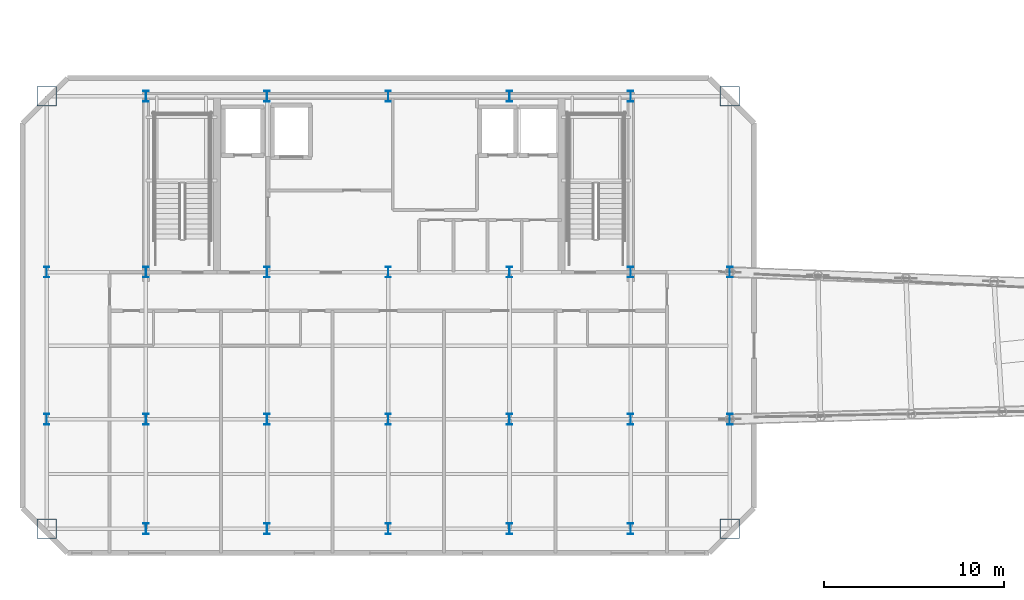
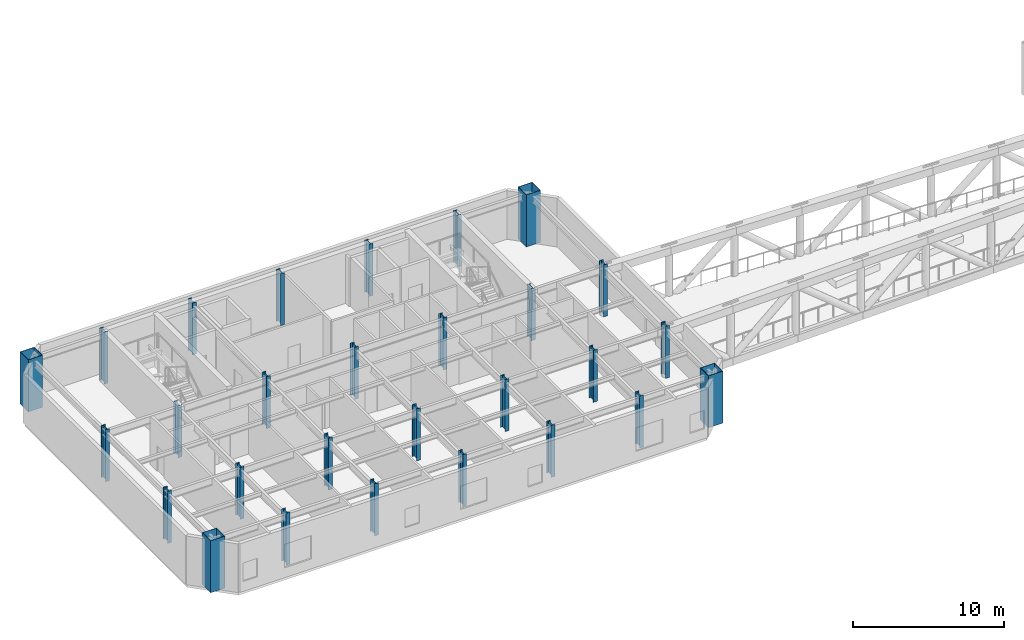
# One storey, part 1 of 14: 28 columns.
"""IFC4 building model written with IfcOpenShell, lengths in metres."""

from ifc_helpers import new_model, si_unit, direction, frame, origin, origin_2d, place, context, subcontext, project, spatial, hollow_rectangle, i_section, extrude, material, material_profile, profile_set, type_object, element, save


model = new_model("IFC4")

# Units and contexts
model_context = context("Model", 3, precision=1e-05, world=origin(), true_north=direction((0.0, 1.0)))
body_context = subcontext(model_context, "Body", "Model", "MODEL_VIEW")
ifc_project = project(units=[si_unit("LENGTHUNIT", "METRE"), si_unit("AREAUNIT", "SQUARE_METRE"), si_unit("VOLUMEUNIT", "CUBIC_METRE"), si_unit("PLANEANGLEUNIT", "RADIAN"), si_unit("MASSUNIT", "GRAM", prefix="KILO")], contexts=[model_context])

# Site, building, storey
site_placement = place(None, origin())
site = spatial("IfcSite", under=ifc_project, at=site_placement, CompositionType="ELEMENT")
building_placement = place(site_placement, origin())
building = spatial("IfcBuilding", under=site, at=building_placement, Name="Haevon Station Towers", CompositionType="ELEMENT")
storey_placement = place(building_placement, frame((0.0, 0.0, 201.300048828125)))
storey = spatial("IfcBuildingStorey", under=building, at=storey_placement, Name="L55", CompositionType="ELEMENT", Elevation=201.300048828125)

# Columns
ifc_material_1 = material(Name="Steel S460", Category="steel")
ifc_material_profile_1 = material_profile(ifc_material_1, hollow_rectangle(XDim=1.10009765625, YDim=1.10009765625, WallThickness=0.031982421875, at=origin_2d()), Name="BOX-1100x1100x32")
ifc_profile_set_1 = profile_set([ifc_material_profile_1], Name="Steel S460")
column_type_1 = type_object("IfcColumnType", Name="COL-MC5", PredefinedType="COLUMN", material=ifc_profile_set_1)
for number, where, z_axis, x_axis, name in (
    (1, (18.47509765625, 23.89990234375, 0.0), (0.0, 0.0, 1.0), (1.0, 0.0, 0.0), "COL-T1-L55-01-01"),
    (2, (18.47509765625, 48.0, 0.0), (0.0, 0.0, 1.0), (1.0, 0.0, 0.0), "COL-T1-L55-01-04"),
    (3, (56.52490234375, 23.89990234375, 0.0), (0.0, 0.0, 1.0), (1.0, 0.0, 0.0), "COL-T1-L55-07-01"),
    (4, (56.52490234375, 48.0, 0.0), (0.0, 0.0, 1.0), (1.0, 0.0, 0.0), "COL-T1-L55-07-04"),
):
    element("IfcColumn", number, at=place(storey_placement, frame(where, z_axis=z_axis, x_axis=x_axis)), inside=storey, type_object=column_type_1, Name=name, PredefinedType="COLUMN", context=body_context, shape_type="SweptSolid", body=[
        extrude(hollow_rectangle(XDim=1.10009765625, YDim=1.10009765625, WallThickness=0.031982421875, at=origin_2d()), origin(), (0.0, 0.0, 1.0), 4.199951171875),
    ])
ifc_material_2 = material(Name="Steel S355", Category="steel")
ifc_material_profile_2 = material_profile(ifc_material_2, i_section(OverallWidth=0.300048828125, OverallDepth=0.60009765625, WebThickness=0.013916015625, FlangeThickness=0.02490234375, at=origin_2d()), Name="H-600x300x14x25")
ifc_profile_set_2 = profile_set([ifc_material_profile_2], Name="Steel S355")
column_type_2 = type_object("IfcColumnType", Name="COL-TW4", PredefinedType="COLUMN", material=ifc_profile_set_2)
for number, where, z_axis, x_axis, name in (
    (5, (18.47509765625, 30.0, 0.0), (0.0, 0.0, 1.0), (1.0, 0.0, 0.0), "COL-T1-L55-01-02"),
    (6, (18.47509765625, 38.199951171875, 0.0), (0.0, 0.0, 1.0), (1.0, 0.0, 0.0), "COL-T1-L55-01-03"),
    (7, (24.0, 23.89990234375, 0.0), (0.0, 0.0, 1.0), (1.0, 0.0, 0.0), "COL-T1-L55-02-01"),
    (8, (24.0, 30.0, 0.0), (0.0, 0.0, 1.0), (1.0, 0.0, 0.0), "COL-T1-L55-02-02"),
    (9, (24.0, 38.199951171875, 0.0), (0.0, 0.0, 1.0), (1.0, 0.0, 0.0), "COL-T1-L55-02-03"),
    (10, (24.0, 48.0, 0.0), (0.0, 0.0, 1.0), (1.0, 0.0, 0.0), "COL-T1-L55-02-04"),
    (11, (30.75, 23.89990234375, 0.0), (0.0, 0.0, 1.0), (1.0, 0.0, 0.0), "COL-T1-L55-03-01"),
    (12, (30.75, 30.0, 0.0), (0.0, 0.0, 1.0), (1.0, 0.0, 0.0), "COL-T1-L55-03-02"),
    (13, (30.75, 38.199951171875, 0.0), (0.0, 0.0, 1.0), (1.0, 0.0, 0.0), "COL-T1-L55-03-03"),
    (14, (30.75, 48.0, 0.0), (0.0, 0.0, 1.0), (1.0, 0.0, 0.0), "COL-T1-L55-03-04"),
    (15, (37.5, 23.89990234375, 0.0), (0.0, 0.0, 1.0), (1.0, 0.0, 0.0), "COL-T1-L55-04-01"),
    (16, (37.5, 30.0, 0.0), (0.0, 0.0, 1.0), (1.0, 0.0, 0.0), "COL-T1-L55-04-02"),
    (17, (37.5, 38.199951171875, 0.0), (0.0, 0.0, 1.0), (1.0, 0.0, 0.0), "COL-T1-L55-04-03"),
    (18, (37.5, 48.0, 0.0), (0.0, 0.0, 1.0), (1.0, 0.0, 0.0), "COL-T1-L55-04-04"),
    (19, (44.25, 23.89990234375, 0.0), (0.0, 0.0, 1.0), (1.0, 0.0, 0.0), "COL-T1-L55-05-01"),
    (20, (44.25, 30.0, 0.0), (0.0, 0.0, 1.0), (1.0, 0.0, 0.0), "COL-T1-L55-05-02"),
    (21, (44.25, 38.199951171875, 0.0), (0.0, 0.0, 1.0), (1.0, 0.0, 0.0), "COL-T1-L55-05-03"),
    (22, (44.25, 48.0, 0.0), (0.0, 0.0, 1.0), (1.0, 0.0, 0.0), "COL-T1-L55-05-04"),
    (23, (51.0, 23.89990234375, 0.0), (0.0, 0.0, 1.0), (1.0, 0.0, 0.0), "COL-T1-L55-06-01"),
    (24, (51.0, 30.0, 0.0), (0.0, 0.0, 1.0), (1.0, 0.0, 0.0), "COL-T1-L55-06-02"),
    (25, (51.0, 38.199951171875, 0.0), (0.0, 0.0, 1.0), (1.0, 0.0, 0.0), "COL-T1-L55-06-03"),
    (26, (51.0, 48.0, 0.0), (0.0, 0.0, 1.0), (1.0, 0.0, 0.0), "COL-T1-L55-06-04"),
    (27, (56.52490234375, 30.0, 0.0), (0.0, 0.0, 1.0), (1.0, 0.0, 0.0), "COL-T1-L55-07-02"),
    (28, (56.52490234375, 38.199951171875, 0.0), (0.0, 0.0, 1.0), (1.0, 0.0, 0.0), "COL-T1-L55-07-03"),
):
    element("IfcColumn", number, at=place(storey_placement, frame(where, z_axis=z_axis, x_axis=x_axis)), inside=storey, type_object=column_type_2, Name=name, PredefinedType="COLUMN", context=body_context, shape_type="SweptSolid", body=[
        extrude(i_section(OverallWidth=0.300048828125, OverallDepth=0.60009765625, WebThickness=0.013916015625, FlangeThickness=0.02490234375, at=origin_2d()), origin(), (0.0, 0.0, 1.0), 4.199951171875),
    ])

save(model, "model.ifc")
